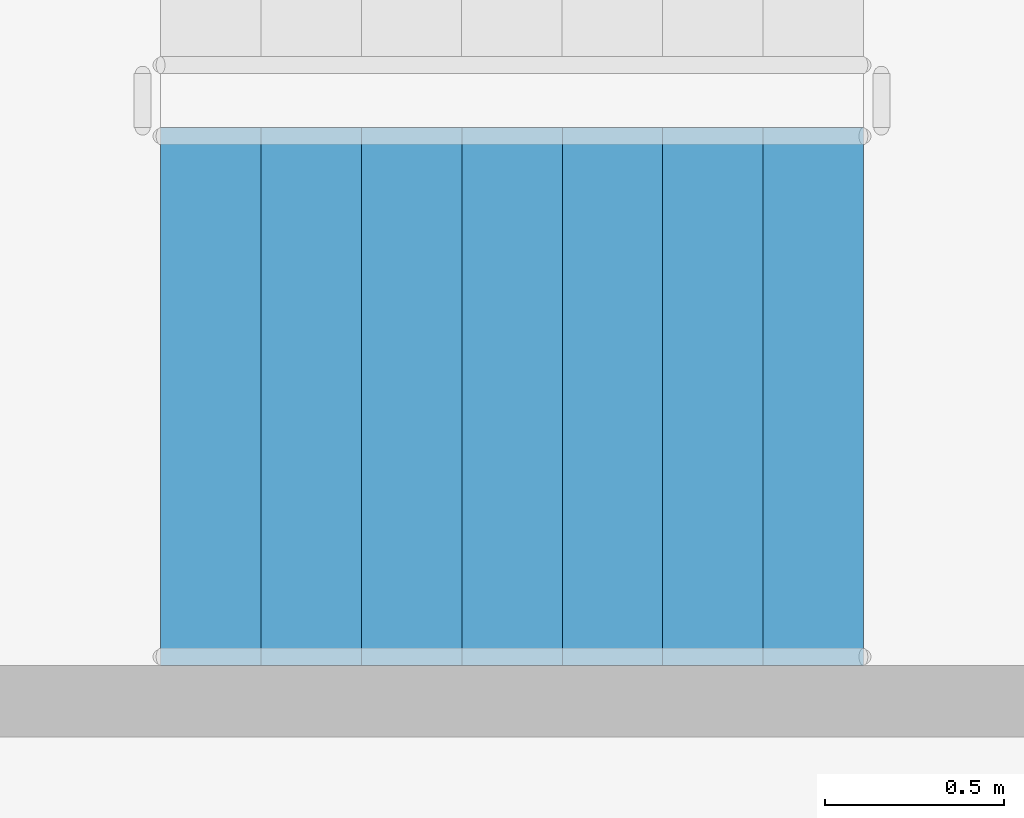
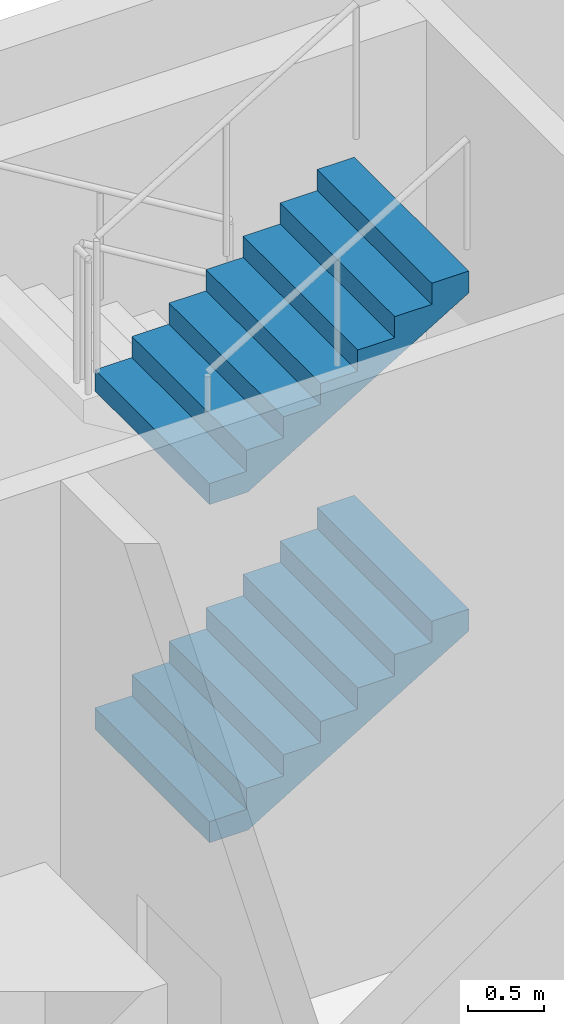
# One storey, part 59 of 101: 2 stair flights, 1 element without a shape of its own.
"""IFC4 building model written with IfcOpenShell, lengths in metres."""

from ifc_helpers import new_model, si_unit, direction, frame, origin, place, context, subcontext, project, spatial, triangles, material, type_object, element, aggregate, save


model = new_model("IFC4")

# Units and contexts
model_context = context("Model", 3, precision=1e-05, world=origin(), true_north=direction((0.0, 1.0)))
body_context = subcontext(model_context, "Body", "Model", "MODEL_VIEW")
ifc_project = project(units=[si_unit("LENGTHUNIT", "METRE"), si_unit("AREAUNIT", "SQUARE_METRE"), si_unit("VOLUMEUNIT", "CUBIC_METRE"), si_unit("PLANEANGLEUNIT", "RADIAN"), si_unit("MASSUNIT", "GRAM", prefix="KILO")], contexts=[model_context])

# Site, building, storey
site_placement = place(None, origin())
site = spatial("IfcSite", under=ifc_project, at=site_placement, CompositionType="ELEMENT")
building_placement = place(site_placement, origin())
building = spatial("IfcBuilding", under=site, at=building_placement, Name="Magnolia Steps Interchange", CompositionType="ELEMENT")
storey_placement = place(building_placement, frame((0.0, 0.0, -5.39990234375)))
storey = spatial("IfcBuildingStorey", under=building, at=storey_placement, Name="B1", CompositionType="ELEMENT", Elevation=-5.39990234375)

# Stair, stair flights
ifc_material_1 = material(Name="Concrete C40", Category="concrete")
stair_type = type_object("IfcStairType", Name="Exit stair 1500", PredefinedType="HALF_TURN_STAIR", material=ifc_material_1)
stair_placement = place(storey_placement, origin())
stair = element("IfcStair", 1, at=stair_placement, inside=storey, type_object=stair_type, Name="B1 Stair 2", PredefinedType="HALF_TURN_STAIR")
ifc_material_2 = material(Name="Concrete C40", Category="concrete")
stair_flight_type = type_object("IfcStairFlightType", Name="Exit stair flight", PredefinedType="STRAIGHT", material=ifc_material_2)
stair_flight_1_placement = place(storey_placement, frame((57.0400390625, 82.699951171875, 1.349853515625), z_axis=(0.0, 0.0, 1.0), x_axis=(1.0, 0.0, 0.0)))
stair_flight_1 = element("IfcStairFlight", 2, at=stair_flight_1_placement, type_object=stair_flight_type, Name="Stair 2 flight 2", NumberOfRisers=8, NumberOfTreads=7, PredefinedType="STRAIGHT", RiserHeight=0.16875, TreadLength=0.28, context=body_context, shape_type="Tessellation", body=[
    triangles([(0.0, -0.75, 0.0), (0.29052734375, -0.75, 0.0), (1.9599609375, -0.75, 1.00634765625), (1.9599609375, -0.75, 1.18115234375), (1.679931640625, -0.75, 1.18115234375), (1.679931640625, -0.75, 1.012451171875), (1.39990234375, -0.75, 1.012451171875), (1.39990234375, -0.75, 0.84375), (1.1201171875, -0.75, 0.84375), (1.1201171875, -0.75, 0.675048828125), (0.840087890625, -0.75, 0.675048828125), (0.840087890625, -0.75, 0.50634765625), (0.56005859375, -0.75, 0.50634765625), (0.56005859375, -0.75, 0.33740234375), (0.280029296875, -0.75, 0.33740234375), (0.280029296875, -0.75, 0.168701171875), (0.0, -0.75, 0.168701171875), (0.0, 0.75, 0.0), (0.29052734375, 0.75, 0.0), (1.9599609375, 0.75, 1.00634765625), (1.9599609375, 0.75, 1.18115234375), (1.679931640625, 0.75, 1.18115234375), (1.679931640625, 0.75, 1.012451171875), (1.39990234375, 0.75, 1.012451171875), (1.39990234375, 0.75, 0.84375), (1.1201171875, 0.75, 0.84375), (1.1201171875, 0.75, 0.675048828125), (0.840087890625, 0.75, 0.675048828125), (0.840087890625, 0.75, 0.50634765625), (0.56005859375, 0.75, 0.50634765625), (0.56005859375, 0.75, 0.33740234375), (0.280029296875, 0.75, 0.33740234375), (0.280029296875, 0.75, 0.168701171875), (0.0, 0.75, 0.168701171875), (0.0, 0.0, 0.0), (0.0, 0.0, 0.04217529296875), (0.0, 0.0, 0.0843505859375), (0.0, 0.0, 0.12652587890625), (0.0, 0.0, 0.168701171875), (0.0, -0.05, 0.0), (0.0, -0.05, 0.168701171875), (0.0, 0.05, 0.0), (0.0, 0.05, 0.168701171875), (0.046671549479166664, 0.0, 0.168701171875), (0.09334309895833333, 0.0, 0.168701171875), (0.1400146484375, 0.0, 0.168701171875), (0.18668619791666666, 0.0, 0.168701171875), (0.23335774739583334, 0.0, 0.168701171875), (0.280029296875, 0.0, 0.168701171875), (0.280029296875, -0.05, 0.168701171875), (0.280029296875, 0.05, 0.168701171875), (0.280029296875, 0.0, 0.21087646484375), (0.280029296875, 0.0, 0.2530517578125), (0.280029296875, 0.0, 0.29522705078125), (0.280029296875, 0.0, 0.33740234375), (0.280029296875, -0.05, 0.33740234375), (0.280029296875, 0.05, 0.33740234375), (0.3267008463541667, 0.0, 0.33740234375), (0.3733723958333333, 0.0, 0.33740234375), (0.4200439453125, 0.0, 0.33740234375), (0.46671549479166663, 0.0, 0.33740234375), (0.5133870442708334, 0.0, 0.33740234375), (0.56005859375, 0.0, 0.33740234375), (0.56005859375, -0.05, 0.33740234375), (0.56005859375, 0.05, 0.33740234375), (0.56005859375, 0.0, 0.379638671875), (0.56005859375, 0.0, 0.421875), (0.56005859375, 0.0, 0.464111328125), (0.56005859375, 0.0, 0.50634765625), (0.56005859375, -0.05, 0.50634765625), (0.56005859375, 0.05, 0.50634765625), (0.6067301432291666, 0.0, 0.50634765625), (0.6534016927083334, 0.0, 0.50634765625), (0.7000732421875, 0.0, 0.50634765625), (0.7467447916666666, 0.0, 0.50634765625), (0.7934163411458334, 0.0, 0.50634765625), (0.840087890625, 0.0, 0.50634765625), (0.840087890625, -0.05, 0.50634765625), (0.840087890625, 0.05, 0.50634765625), (0.840087890625, 0.0, 0.54852294921875), (0.840087890625, 0.0, 0.5906982421875), (0.840087890625, 0.0, 0.63287353515625), (0.840087890625, 0.0, 0.675048828125), (0.840087890625, -0.05, 0.675048828125), (0.840087890625, 0.05, 0.675048828125), (0.8867594401041666, 0.0, 0.675048828125), (0.9334309895833334, 0.0, 0.675048828125), (0.9801025390625, 0.0, 0.675048828125), (1.0267740885416667, 0.0, 0.675048828125), (1.0734456380208333, 0.0, 0.675048828125), (1.1201171875, 0.0, 0.675048828125), (1.1201171875, -0.05, 0.675048828125), (1.1201171875, 0.05, 0.675048828125), (1.1201171875, 0.0, 0.71722412109375), (1.1201171875, 0.0, 0.7593994140625), (1.1201171875, 0.0, 0.80157470703125), (1.1201171875, 0.0, 0.84375), (1.1201171875, -0.05, 0.84375), (1.1201171875, 0.05, 0.84375), (1.1900634765625, 0.0, 0.84375), (1.260009765625, 0.0, 0.84375), (1.3299560546875, 0.0, 0.84375), (1.39990234375, 0.0, 0.84375), (1.39990234375, -0.05, 0.84375), (1.39990234375, 0.05, 0.84375), (1.39990234375, 0.0, 0.88592529296875), (1.39990234375, 0.0, 0.9281005859375), (1.39990234375, 0.0, 0.97027587890625), (1.39990234375, 0.0, 1.012451171875), (1.39990234375, -0.05, 1.012451171875), (1.39990234375, 0.05, 1.012451171875), (1.4465738932291667, 0.0, 1.012451171875), (1.4932454427083333, 0.0, 1.012451171875), (1.5399169921875, 0.0, 1.012451171875), (1.5865885416666667, 0.0, 1.012451171875), (1.6332600911458333, 0.0, 1.012451171875), (1.679931640625, 0.0, 1.012451171875), (1.679931640625, -0.05, 1.012451171875), (1.679931640625, 0.05, 1.012451171875), (1.679931640625, 0.0, 1.05462646484375), (1.679931640625, 0.0, 1.0968017578125), (1.679931640625, 0.0, 1.13897705078125), (1.679931640625, 0.0, 1.18115234375), (1.679931640625, -0.05, 1.18115234375), (1.679931640625, 0.05, 1.18115234375), (1.7266031901041667, 0.0, 1.18115234375), (1.7732747395833333, 0.0, 1.18115234375), (1.8199462890625, 0.0, 1.18115234375), (1.8666178385416667, 0.0, 1.18115234375), (1.9132893880208333, 0.0, 1.18115234375), (1.9599609375, 0.0, 1.18115234375), (1.9599609375, -0.05, 1.18115234375), (1.9599609375, 0.05, 1.18115234375), (1.9599609375, 0.0, 1.137451171875), (1.9599609375, 0.0, 1.09375), (1.9599609375, 0.0, 1.050048828125), (1.9599609375, 0.0, 1.00634765625), (1.9599609375, -0.05, 1.00634765625), (1.9599609375, 0.05, 1.00634765625), (1.9003383091517858, 0.0, 0.9704066685267857), (1.8407156808035714, 0.0, 0.9344656808035714), (1.7810930524553572, 0.0, 0.8985246930803571), (1.7214704241071428, 0.0, 0.8625837053571428), (1.6618477957589286, 0.0, 0.8266427176339286), (1.6022251674107144, 0.0, 0.7907017299107143), (1.5426025390625, 0.0, 0.7547607421875), (1.4829799107142856, 0.0, 0.7188197544642857), (1.4233572823660714, 0.0, 0.6828787667410714), (1.3637346540178572, 0.0, 0.6469377790178572), (1.3041120256696428, 0.0, 0.6109967912946428), (1.2444893973214286, 0.0, 0.5750558035714286), (1.1848667689732144, 0.0, 0.5391148158482143), (1.125244140625, 0.0, 0.503173828125), (1.0656215122767856, 0.0, 0.4672328404017857), (1.0059988839285714, 0.0, 0.4312918526785714), (0.9463762555803572, 0.0, 0.3953508649553571), (0.8867536272321428, 0.0, 0.3594098772321429), (0.8271309988839286, 0.0, 0.3234688895089286), (0.7675083705357142, 0.0, 0.2875279017857143), (0.7078857421875, 0.0, 0.2515869140625), (0.6482631138392858, 0.0, 0.2156459263392857), (0.5886404854910714, 0.0, 0.1797049386160714), (0.5290178571428572, 0.0, 0.1437639508928571), (0.4693952287946428, 0.0, 0.1078229631696429), (0.4097726004464286, 0.0, 0.0718819754464286), (0.3501499720982142, 0.0, 0.0359409877232143), (0.29052734375, 0.0, 0.0), (0.29052734375, -0.05, 0.0), (0.29052734375, 0.05, 0.0), (0.24210611979166666, 0.0, 0.0), (0.19368489583333331, 0.0, 0.0), (0.145263671875, 0.0, 0.0), (0.09684244791666666, 0.0, 0.0), (0.04842122395833334, 0.0, 0.0)], [[1, 2, 3], [3, 4, 5], [3, 5, 6], [3, 6, 7], [3, 7, 8], [8, 9, 10], [3, 8, 10], [10, 11, 12], [3, 10, 12], [12, 13, 14], [3, 12, 14], [14, 15, 16], [3, 14, 16], [1, 3, 16], [16, 17, 1], [18, 20, 19], [20, 22, 21], [20, 23, 22], [20, 24, 23], [20, 25, 24], [25, 27, 26], [20, 27, 25], [27, 29, 28], [20, 29, 27], [29, 31, 30], [20, 31, 29], [31, 33, 32], [20, 33, 31], [18, 33, 20], [33, 18, 34], [1, 17, 41], [1, 41, 40], [40, 36, 35], [40, 37, 36], [40, 41, 37], [41, 38, 37], [41, 39, 38], [18, 43, 34], [18, 42, 43], [42, 35, 36], [42, 36, 37], [42, 37, 43], [43, 37, 38], [43, 38, 39], [17, 16, 50], [17, 50, 41], [41, 44, 39], [41, 45, 44], [41, 46, 45], [41, 50, 46], [50, 47, 46], [50, 48, 47], [50, 49, 48], [34, 51, 33], [34, 43, 51], [43, 39, 44], [43, 44, 45], [43, 45, 46], [43, 46, 51], [51, 46, 47], [51, 47, 48], [51, 48, 49], [16, 15, 56], [16, 56, 50], [50, 52, 49], [50, 53, 52], [50, 56, 53], [56, 54, 53], [56, 55, 54], [33, 57, 32], [33, 51, 57], [51, 49, 52], [51, 52, 53], [51, 53, 57], [57, 53, 54], [57, 54, 55], [15, 14, 64], [15, 64, 56], [56, 58, 55], [56, 59, 58], [56, 60, 59], [56, 64, 60], [64, 61, 60], [64, 62, 61], [64, 63, 62], [32, 65, 31], [32, 57, 65], [57, 55, 58], [57, 58, 59], [57, 59, 60], [57, 60, 65], [65, 60, 61], [65, 61, 62], [65, 62, 63], [14, 13, 70], [14, 70, 64], [64, 66, 63], [64, 67, 66], [64, 70, 67], [70, 68, 67], [70, 69, 68], [31, 71, 30], [31, 65, 71], [65, 63, 66], [65, 66, 67], [65, 67, 71], [71, 67, 68], [71, 68, 69], [13, 12, 78], [13, 78, 70], [70, 72, 69], [70, 73, 72], [70, 74, 73], [70, 78, 74], [78, 75, 74], [78, 76, 75], [78, 77, 76], [30, 79, 29], [30, 71, 79], [71, 69, 72], [71, 72, 73], [71, 73, 74], [71, 74, 79], [79, 74, 75], [79, 75, 76], [79, 76, 77], [12, 11, 84], [12, 84, 78], [78, 80, 77], [78, 81, 80], [78, 84, 81], [84, 82, 81], [84, 83, 82], [29, 85, 28], [29, 79, 85], [79, 77, 80], [79, 80, 81], [79, 81, 85], [85, 81, 82], [85, 82, 83], [11, 10, 92], [11, 92, 84], [84, 86, 83], [84, 87, 86], [84, 88, 87], [84, 92, 88], [92, 89, 88], [92, 90, 89], [92, 91, 90], [28, 93, 27], [28, 85, 93], [85, 83, 86], [85, 86, 87], [85, 87, 88], [85, 88, 93], [93, 88, 89], [93, 89, 90], [93, 90, 91], [10, 9, 98], [10, 98, 92], [92, 94, 91], [92, 95, 94], [92, 98, 95], [98, 96, 95], [98, 97, 96], [27, 99, 26], [27, 93, 99], [93, 91, 94], [93, 94, 95], [93, 95, 99], [99, 95, 96], [99, 96, 97], [9, 8, 104], [9, 104, 98], [98, 100, 97], [98, 101, 100], [98, 104, 101], [104, 102, 101], [104, 103, 102], [26, 105, 25], [26, 99, 105], [99, 97, 100], [99, 100, 101], [99, 101, 105], [105, 101, 102], [105, 102, 103], [8, 7, 110], [8, 110, 104], [104, 106, 103], [104, 107, 106], [104, 110, 107], [110, 108, 107], [110, 109, 108], [25, 111, 24], [25, 105, 111], [105, 103, 106], [105, 106, 107], [105, 107, 111], [111, 107, 108], [111, 108, 109], [7, 6, 118], [7, 118, 110], [110, 112, 109], [110, 113, 112], [110, 114, 113], [110, 118, 114], [118, 115, 114], [118, 116, 115], [118, 117, 116], [24, 119, 23], [24, 111, 119], [111, 109, 112], [111, 112, 113], [111, 113, 114], [111, 114, 119], [119, 114, 115], [119, 115, 116], [119, 116, 117], [6, 5, 124], [6, 124, 118], [118, 120, 117], [118, 121, 120], [118, 124, 121], [124, 122, 121], [124, 123, 122], [23, 125, 22], [23, 119, 125], [119, 117, 120], [119, 120, 121], [119, 121, 125], [125, 121, 122], [125, 122, 123], [5, 4, 132], [5, 132, 124], [124, 126, 123], [124, 127, 126], [124, 128, 127], [124, 132, 128], [132, 129, 128], [132, 130, 129], [132, 131, 130], [22, 133, 21], [22, 125, 133], [125, 123, 126], [125, 126, 127], [125, 127, 128], [125, 128, 133], [133, 128, 129], [133, 129, 130], [133, 130, 131], [4, 3, 138], [4, 138, 132], [132, 134, 131], [132, 135, 134], [132, 138, 135], [138, 136, 135], [138, 137, 136], [21, 139, 20], [21, 133, 139], [133, 131, 134], [133, 134, 135], [133, 135, 139], [139, 135, 136], [139, 136, 137], [3, 2, 168], [3, 168, 138], [138, 140, 137], [138, 141, 140], [138, 142, 141], [138, 143, 142], [138, 144, 143], [138, 145, 144], [138, 146, 145], [138, 147, 146], [138, 148, 147], [138, 149, 148], [138, 150, 149], [138, 151, 150], [138, 152, 151], [138, 153, 152], [138, 168, 153], [168, 154, 153], [168, 155, 154], [168, 156, 155], [168, 157, 156], [168, 158, 157], [168, 159, 158], [168, 160, 159], [168, 161, 160], [168, 162, 161], [168, 163, 162], [168, 164, 163], [168, 165, 164], [168, 166, 165], [168, 167, 166], [20, 169, 19], [20, 139, 169], [139, 137, 140], [139, 140, 141], [139, 141, 142], [139, 142, 143], [139, 143, 144], [139, 144, 145], [139, 145, 146], [139, 146, 147], [139, 147, 148], [139, 148, 149], [139, 149, 150], [139, 150, 151], [139, 151, 152], [139, 152, 153], [139, 153, 169], [169, 153, 154], [169, 154, 155], [169, 155, 156], [169, 156, 157], [169, 157, 158], [169, 158, 159], [169, 159, 160], [169, 160, 161], [169, 161, 162], [169, 162, 163], [169, 163, 164], [169, 164, 165], [169, 165, 166], [169, 166, 167], [2, 1, 40], [2, 40, 168], [168, 170, 167], [168, 171, 170], [168, 172, 171], [168, 40, 172], [40, 173, 172], [40, 174, 173], [40, 35, 174], [19, 42, 18], [19, 169, 42], [169, 167, 170], [169, 170, 171], [169, 171, 172], [169, 172, 42], [42, 172, 173], [42, 173, 174], [42, 174, 35]], closed=True),
])
stair_flight_2_placement = place(storey_placement, frame((57.0400390625, 82.699951171875, 4.0498046875), z_axis=(0.0, 0.0, 1.0), x_axis=(1.0, 0.0, 0.0)))
stair_flight_2 = element("IfcStairFlight", 3, at=stair_flight_2_placement, type_object=stair_flight_type, Name="Stair 2 flight 4", NumberOfRisers=8, NumberOfTreads=7, PredefinedType="STRAIGHT", RiserHeight=0.16875, TreadLength=0.28, context=body_context, shape_type="Tessellation", body=[
    triangles([(0.0, -0.75, 0.0), (0.29052734375, -0.75, 0.0), (1.9599609375, -0.75, 1.00634765625), (1.9599609375, -0.75, 1.18115234375), (1.679931640625, -0.75, 1.18115234375), (1.679931640625, -0.75, 1.012451171875), (1.39990234375, -0.75, 1.012451171875), (1.39990234375, -0.75, 0.84375), (1.1201171875, -0.75, 0.84375), (1.1201171875, -0.75, 0.675048828125), (0.840087890625, -0.75, 0.675048828125), (0.840087890625, -0.75, 0.50634765625), (0.56005859375, -0.75, 0.50634765625), (0.56005859375, -0.75, 0.33740234375), (0.280029296875, -0.75, 0.33740234375), (0.280029296875, -0.75, 0.168701171875), (0.0, -0.75, 0.168701171875), (0.0, 0.75, 0.0), (0.29052734375, 0.75, 0.0), (1.9599609375, 0.75, 1.00634765625), (1.9599609375, 0.75, 1.18115234375), (1.679931640625, 0.75, 1.18115234375), (1.679931640625, 0.75, 1.012451171875), (1.39990234375, 0.75, 1.012451171875), (1.39990234375, 0.75, 0.84375), (1.1201171875, 0.75, 0.84375), (1.1201171875, 0.75, 0.675048828125), (0.840087890625, 0.75, 0.675048828125), (0.840087890625, 0.75, 0.50634765625), (0.56005859375, 0.75, 0.50634765625), (0.56005859375, 0.75, 0.33740234375), (0.280029296875, 0.75, 0.33740234375), (0.280029296875, 0.75, 0.168701171875), (0.0, 0.75, 0.168701171875), (0.0, 0.0, 0.0), (0.0, 0.0, 0.04217529296875), (0.0, 0.0, 0.0843505859375), (0.0, 0.0, 0.12652587890625), (0.0, 0.0, 0.168701171875), (0.0, -0.05, 0.0), (0.0, -0.05, 0.168701171875), (0.0, 0.05, 0.0), (0.0, 0.05, 0.168701171875), (0.046671549479166664, 0.0, 0.168701171875), (0.09334309895833333, 0.0, 0.168701171875), (0.1400146484375, 0.0, 0.168701171875), (0.18668619791666666, 0.0, 0.168701171875), (0.23335774739583334, 0.0, 0.168701171875), (0.280029296875, 0.0, 0.168701171875), (0.280029296875, -0.05, 0.168701171875), (0.280029296875, 0.05, 0.168701171875), (0.280029296875, 0.0, 0.21087646484375), (0.280029296875, 0.0, 0.2530517578125), (0.280029296875, 0.0, 0.29522705078125), (0.280029296875, 0.0, 0.33740234375), (0.280029296875, -0.05, 0.33740234375), (0.280029296875, 0.05, 0.33740234375), (0.3267008463541667, 0.0, 0.33740234375), (0.3733723958333333, 0.0, 0.33740234375), (0.4200439453125, 0.0, 0.33740234375), (0.46671549479166663, 0.0, 0.33740234375), (0.5133870442708334, 0.0, 0.33740234375), (0.56005859375, 0.0, 0.33740234375), (0.56005859375, -0.05, 0.33740234375), (0.56005859375, 0.05, 0.33740234375), (0.56005859375, 0.0, 0.379638671875), (0.56005859375, 0.0, 0.421875), (0.56005859375, 0.0, 0.464111328125), (0.56005859375, 0.0, 0.50634765625), (0.56005859375, -0.05, 0.50634765625), (0.56005859375, 0.05, 0.50634765625), (0.6067301432291666, 0.0, 0.50634765625), (0.6534016927083334, 0.0, 0.50634765625), (0.7000732421875, 0.0, 0.50634765625), (0.7467447916666666, 0.0, 0.50634765625), (0.7934163411458334, 0.0, 0.50634765625), (0.840087890625, 0.0, 0.50634765625), (0.840087890625, -0.05, 0.50634765625), (0.840087890625, 0.05, 0.50634765625), (0.840087890625, 0.0, 0.54852294921875), (0.840087890625, 0.0, 0.5906982421875), (0.840087890625, 0.0, 0.63287353515625), (0.840087890625, 0.0, 0.675048828125), (0.840087890625, -0.05, 0.675048828125), (0.840087890625, 0.05, 0.675048828125), (0.8867594401041666, 0.0, 0.675048828125), (0.9334309895833334, 0.0, 0.675048828125), (0.9801025390625, 0.0, 0.675048828125), (1.0267740885416667, 0.0, 0.675048828125), (1.0734456380208333, 0.0, 0.675048828125), (1.1201171875, 0.0, 0.675048828125), (1.1201171875, -0.05, 0.675048828125), (1.1201171875, 0.05, 0.675048828125), (1.1201171875, 0.0, 0.71722412109375), (1.1201171875, 0.0, 0.7593994140625), (1.1201171875, 0.0, 0.80157470703125), (1.1201171875, 0.0, 0.84375), (1.1201171875, -0.05, 0.84375), (1.1201171875, 0.05, 0.84375), (1.1900634765625, 0.0, 0.84375), (1.260009765625, 0.0, 0.84375), (1.3299560546875, 0.0, 0.84375), (1.39990234375, 0.0, 0.84375), (1.39990234375, -0.05, 0.84375), (1.39990234375, 0.05, 0.84375), (1.39990234375, 0.0, 0.88592529296875), (1.39990234375, 0.0, 0.9281005859375), (1.39990234375, 0.0, 0.97027587890625), (1.39990234375, 0.0, 1.012451171875), (1.39990234375, -0.05, 1.012451171875), (1.39990234375, 0.05, 1.012451171875), (1.4465738932291667, 0.0, 1.012451171875), (1.4932454427083333, 0.0, 1.012451171875), (1.5399169921875, 0.0, 1.012451171875), (1.5865885416666667, 0.0, 1.012451171875), (1.6332600911458333, 0.0, 1.012451171875), (1.679931640625, 0.0, 1.012451171875), (1.679931640625, -0.05, 1.012451171875), (1.679931640625, 0.05, 1.012451171875), (1.679931640625, 0.0, 1.05462646484375), (1.679931640625, 0.0, 1.0968017578125), (1.679931640625, 0.0, 1.13897705078125), (1.679931640625, 0.0, 1.18115234375), (1.679931640625, -0.05, 1.18115234375), (1.679931640625, 0.05, 1.18115234375), (1.7266031901041667, 0.0, 1.18115234375), (1.7732747395833333, 0.0, 1.18115234375), (1.8199462890625, 0.0, 1.18115234375), (1.8666178385416667, 0.0, 1.18115234375), (1.9132893880208333, 0.0, 1.18115234375), (1.9599609375, 0.0, 1.18115234375), (1.9599609375, -0.05, 1.18115234375), (1.9599609375, 0.05, 1.18115234375), (1.9599609375, 0.0, 1.137451171875), (1.9599609375, 0.0, 1.09375), (1.9599609375, 0.0, 1.050048828125), (1.9599609375, 0.0, 1.00634765625), (1.9599609375, -0.05, 1.00634765625), (1.9599609375, 0.05, 1.00634765625), (1.9003383091517858, 0.0, 0.9704066685267857), (1.8407156808035714, 0.0, 0.9344656808035714), (1.7810930524553572, 0.0, 0.8985246930803571), (1.7214704241071428, 0.0, 0.8625837053571428), (1.6618477957589286, 0.0, 0.8266427176339286), (1.6022251674107144, 0.0, 0.7907017299107143), (1.5426025390625, 0.0, 0.7547607421875), (1.4829799107142856, 0.0, 0.7188197544642857), (1.4233572823660714, 0.0, 0.6828787667410714), (1.3637346540178572, 0.0, 0.6469377790178572), (1.3041120256696428, 0.0, 0.6109967912946428), (1.2444893973214286, 0.0, 0.5750558035714286), (1.1848667689732144, 0.0, 0.5391148158482143), (1.125244140625, 0.0, 0.503173828125), (1.0656215122767856, 0.0, 0.4672328404017857), (1.0059988839285714, 0.0, 0.4312918526785714), (0.9463762555803572, 0.0, 0.3953508649553571), (0.8867536272321428, 0.0, 0.3594098772321429), (0.8271309988839286, 0.0, 0.3234688895089286), (0.7675083705357142, 0.0, 0.2875279017857143), (0.7078857421875, 0.0, 0.2515869140625), (0.6482631138392858, 0.0, 0.2156459263392857), (0.5886404854910714, 0.0, 0.1797049386160714), (0.5290178571428572, 0.0, 0.1437639508928571), (0.4693952287946428, 0.0, 0.1078229631696429), (0.4097726004464286, 0.0, 0.0718819754464286), (0.3501499720982142, 0.0, 0.0359409877232143), (0.29052734375, 0.0, 0.0), (0.29052734375, -0.05, 0.0), (0.29052734375, 0.05, 0.0), (0.24210611979166666, 0.0, 0.0), (0.19368489583333331, 0.0, 0.0), (0.145263671875, 0.0, 0.0), (0.09684244791666666, 0.0, 0.0), (0.04842122395833334, 0.0, 0.0)], [[1, 2, 3], [3, 4, 5], [3, 5, 6], [3, 6, 7], [3, 7, 8], [8, 9, 10], [3, 8, 10], [10, 11, 12], [3, 10, 12], [12, 13, 14], [3, 12, 14], [14, 15, 16], [3, 14, 16], [1, 3, 16], [16, 17, 1], [18, 20, 19], [20, 22, 21], [20, 23, 22], [20, 24, 23], [20, 25, 24], [25, 27, 26], [20, 27, 25], [27, 29, 28], [20, 29, 27], [29, 31, 30], [20, 31, 29], [31, 33, 32], [20, 33, 31], [18, 33, 20], [33, 18, 34], [1, 17, 41], [1, 41, 40], [40, 36, 35], [40, 37, 36], [40, 41, 37], [41, 38, 37], [41, 39, 38], [18, 43, 34], [18, 42, 43], [42, 35, 36], [42, 36, 37], [42, 37, 43], [43, 37, 38], [43, 38, 39], [17, 16, 50], [17, 50, 41], [41, 44, 39], [41, 45, 44], [41, 46, 45], [41, 50, 46], [50, 47, 46], [50, 48, 47], [50, 49, 48], [34, 51, 33], [34, 43, 51], [43, 39, 44], [43, 44, 45], [43, 45, 46], [43, 46, 51], [51, 46, 47], [51, 47, 48], [51, 48, 49], [16, 15, 56], [16, 56, 50], [50, 52, 49], [50, 53, 52], [50, 56, 53], [56, 54, 53], [56, 55, 54], [33, 57, 32], [33, 51, 57], [51, 49, 52], [51, 52, 53], [51, 53, 57], [57, 53, 54], [57, 54, 55], [15, 14, 64], [15, 64, 56], [56, 58, 55], [56, 59, 58], [56, 60, 59], [56, 64, 60], [64, 61, 60], [64, 62, 61], [64, 63, 62], [32, 65, 31], [32, 57, 65], [57, 55, 58], [57, 58, 59], [57, 59, 60], [57, 60, 65], [65, 60, 61], [65, 61, 62], [65, 62, 63], [14, 13, 70], [14, 70, 64], [64, 66, 63], [64, 67, 66], [64, 70, 67], [70, 68, 67], [70, 69, 68], [31, 71, 30], [31, 65, 71], [65, 63, 66], [65, 66, 67], [65, 67, 71], [71, 67, 68], [71, 68, 69], [13, 12, 78], [13, 78, 70], [70, 72, 69], [70, 73, 72], [70, 74, 73], [70, 78, 74], [78, 75, 74], [78, 76, 75], [78, 77, 76], [30, 79, 29], [30, 71, 79], [71, 69, 72], [71, 72, 73], [71, 73, 74], [71, 74, 79], [79, 74, 75], [79, 75, 76], [79, 76, 77], [12, 11, 84], [12, 84, 78], [78, 80, 77], [78, 81, 80], [78, 84, 81], [84, 82, 81], [84, 83, 82], [29, 85, 28], [29, 79, 85], [79, 77, 80], [79, 80, 81], [79, 81, 85], [85, 81, 82], [85, 82, 83], [11, 10, 92], [11, 92, 84], [84, 86, 83], [84, 87, 86], [84, 88, 87], [84, 92, 88], [92, 89, 88], [92, 90, 89], [92, 91, 90], [28, 93, 27], [28, 85, 93], [85, 83, 86], [85, 86, 87], [85, 87, 88], [85, 88, 93], [93, 88, 89], [93, 89, 90], [93, 90, 91], [10, 9, 98], [10, 98, 92], [92, 94, 91], [92, 95, 94], [92, 98, 95], [98, 96, 95], [98, 97, 96], [27, 99, 26], [27, 93, 99], [93, 91, 94], [93, 94, 95], [93, 95, 99], [99, 95, 96], [99, 96, 97], [9, 8, 104], [9, 104, 98], [98, 100, 97], [98, 101, 100], [98, 104, 101], [104, 102, 101], [104, 103, 102], [26, 105, 25], [26, 99, 105], [99, 97, 100], [99, 100, 101], [99, 101, 105], [105, 101, 102], [105, 102, 103], [8, 7, 110], [8, 110, 104], [104, 106, 103], [104, 107, 106], [104, 110, 107], [110, 108, 107], [110, 109, 108], [25, 111, 24], [25, 105, 111], [105, 103, 106], [105, 106, 107], [105, 107, 111], [111, 107, 108], [111, 108, 109], [7, 6, 118], [7, 118, 110], [110, 112, 109], [110, 113, 112], [110, 114, 113], [110, 118, 114], [118, 115, 114], [118, 116, 115], [118, 117, 116], [24, 119, 23], [24, 111, 119], [111, 109, 112], [111, 112, 113], [111, 113, 114], [111, 114, 119], [119, 114, 115], [119, 115, 116], [119, 116, 117], [6, 5, 124], [6, 124, 118], [118, 120, 117], [118, 121, 120], [118, 124, 121], [124, 122, 121], [124, 123, 122], [23, 125, 22], [23, 119, 125], [119, 117, 120], [119, 120, 121], [119, 121, 125], [125, 121, 122], [125, 122, 123], [5, 4, 132], [5, 132, 124], [124, 126, 123], [124, 127, 126], [124, 128, 127], [124, 132, 128], [132, 129, 128], [132, 130, 129], [132, 131, 130], [22, 133, 21], [22, 125, 133], [125, 123, 126], [125, 126, 127], [125, 127, 128], [125, 128, 133], [133, 128, 129], [133, 129, 130], [133, 130, 131], [4, 3, 138], [4, 138, 132], [132, 134, 131], [132, 135, 134], [132, 138, 135], [138, 136, 135], [138, 137, 136], [21, 139, 20], [21, 133, 139], [133, 131, 134], [133, 134, 135], [133, 135, 139], [139, 135, 136], [139, 136, 137], [3, 2, 168], [3, 168, 138], [138, 140, 137], [138, 141, 140], [138, 142, 141], [138, 143, 142], [138, 144, 143], [138, 145, 144], [138, 146, 145], [138, 147, 146], [138, 148, 147], [138, 149, 148], [138, 150, 149], [138, 151, 150], [138, 152, 151], [138, 153, 152], [138, 168, 153], [168, 154, 153], [168, 155, 154], [168, 156, 155], [168, 157, 156], [168, 158, 157], [168, 159, 158], [168, 160, 159], [168, 161, 160], [168, 162, 161], [168, 163, 162], [168, 164, 163], [168, 165, 164], [168, 166, 165], [168, 167, 166], [20, 169, 19], [20, 139, 169], [139, 137, 140], [139, 140, 141], [139, 141, 142], [139, 142, 143], [139, 143, 144], [139, 144, 145], [139, 145, 146], [139, 146, 147], [139, 147, 148], [139, 148, 149], [139, 149, 150], [139, 150, 151], [139, 151, 152], [139, 152, 153], [139, 153, 169], [169, 153, 154], [169, 154, 155], [169, 155, 156], [169, 156, 157], [169, 157, 158], [169, 158, 159], [169, 159, 160], [169, 160, 161], [169, 161, 162], [169, 162, 163], [169, 163, 164], [169, 164, 165], [169, 165, 166], [169, 166, 167], [2, 1, 40], [2, 40, 168], [168, 170, 167], [168, 171, 170], [168, 172, 171], [168, 40, 172], [40, 173, 172], [40, 174, 173], [40, 35, 174], [19, 42, 18], [19, 169, 42], [169, 167, 170], [169, 170, 171], [169, 171, 172], [169, 172, 42], [42, 172, 173], [42, 173, 174], [42, 174, 35]], closed=True),
])
aggregate(stair, [stair_flight_1, stair_flight_2])

save(model, "model.ifc")
